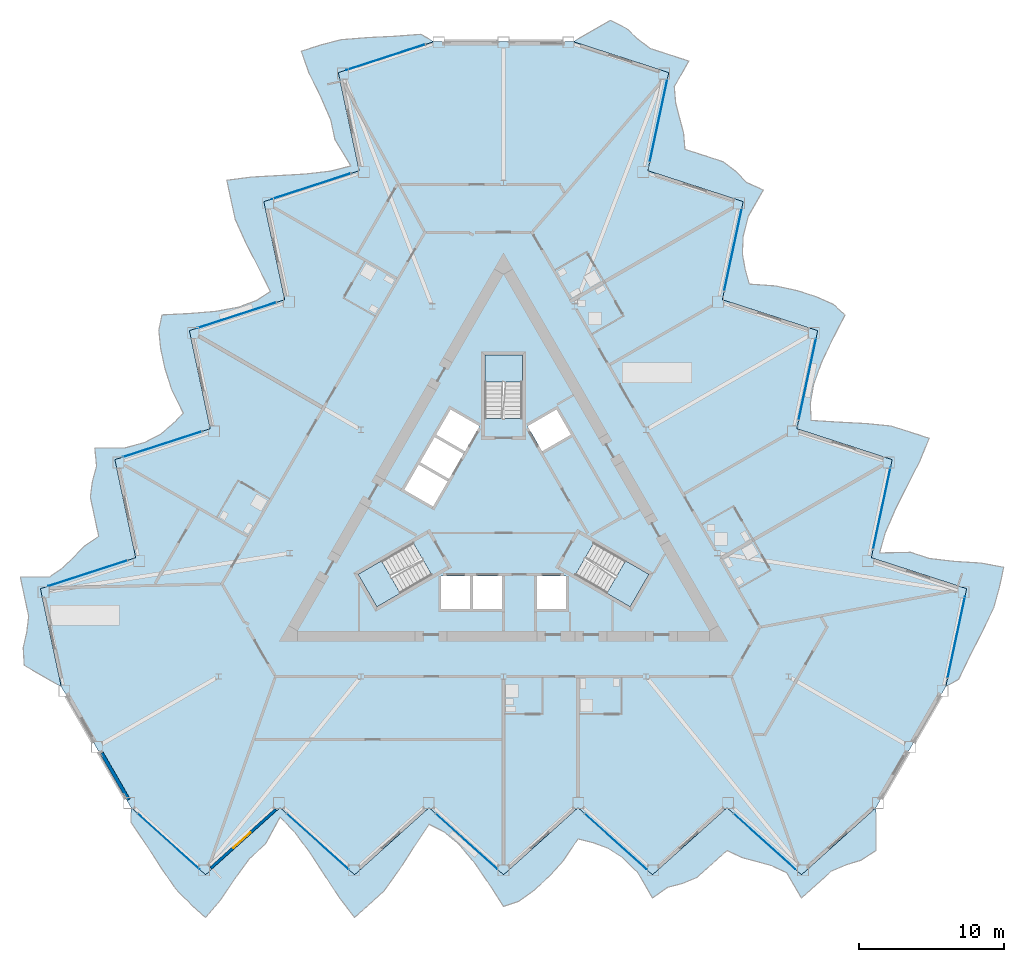
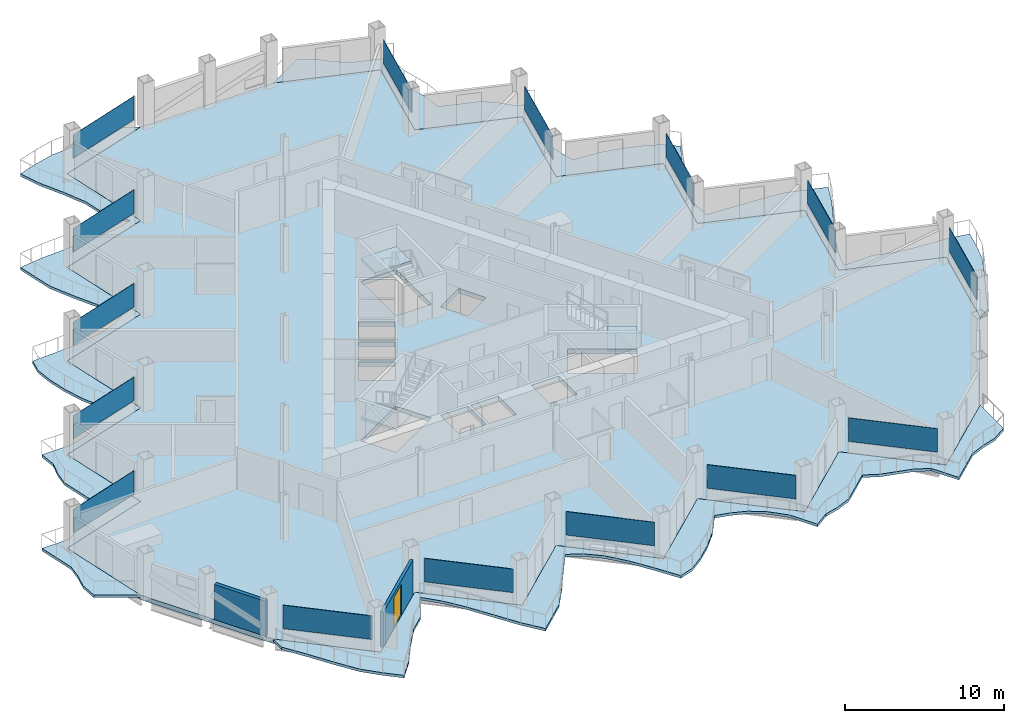
# One storey, part 9 of 22: 15 plates, 7 slabs, 2 walls, 1 door, 1 opening, 18 elements without a shape of their own.
"""IFC4 building model written with IfcOpenShell, lengths in metres."""

from ifc_helpers import new_model, si_unit, direction, frame, frame_2d, origin, origin_2d, place, context, subcontext, project, spatial, polyline, rectangle, outline, extrude, material, layer, layer_set, type_object, element, fill, aggregate, save


model = new_model("IFC4")

# Units and contexts
model_context = context("Model", 3, precision=1e-05, world=origin(), true_north=direction((0.0, 1.0)))
body_context = subcontext(model_context, "Body", "Model", "MODEL_VIEW")
ifc_project = project(units=[si_unit("LENGTHUNIT", "METRE"), si_unit("AREAUNIT", "SQUARE_METRE"), si_unit("VOLUMEUNIT", "CUBIC_METRE"), si_unit("PLANEANGLEUNIT", "RADIAN"), si_unit("MASSUNIT", "GRAM", prefix="KILO")], contexts=[model_context])

# Site, building, storey
site_placement = place(None, origin())
site = spatial("IfcSite", under=ifc_project, at=site_placement, CompositionType="ELEMENT")
building_placement = place(site_placement, origin())
building = spatial("IfcBuilding", under=site, at=building_placement, Name="Cormorant Prow Tower", CompositionType="ELEMENT")
storey_placement = place(building_placement, frame((0.0, 0.0, 194.39990234375)))
storey = spatial("IfcBuildingStorey", under=building, at=storey_placement, Name="L42", CompositionType="ELEMENT", Elevation=194.39990234375)

# Slabs
ifc_material_1 = material(Name="Concrete C40/50", Category="concrete")
ifc_layer_1 = layer(ifc_material_1, 0.199951171875)
ifc_layer_set_1 = layer_set([ifc_layer_1], Name="Concrete C40/50")
slab_type_1 = type_object("IfcSlabType", Name="Balcony slab 200", PredefinedType="FLOOR", material=ifc_layer_set_1)
slab_1_placement = place(storey_placement, frame((0.0, 0.0, -0.199951171875)))
element("IfcSlab", 1, at=slab_1_placement, inside=storey, type_object=slab_type_1, Name="Balcony slab S L42", PredefinedType="FLOOR", context=body_context, shape_type="SweptSolid", body=[
    extrude(outline(polyline([(-25.692626953125, -20.39892578125), (-25.692626953125, -21.4150390625), (-24.664794921875, -22.92431640625), (-23.63720703125, -24.52001953125), (-22.609375, -26.009033203125), (-21.581787109375, -27.05029296875), (-20.55419921875, -27.975830078125), (-19.5263671875, -26.775146484375), (-18.498779296875, -25.2314453125), (-17.470947265625, -23.849609375), (-16.443359375, -22.92431640625), (-15.41552734375, -21.0517578125), (-14.387939453125, -22.11328125), (-13.360107421875, -23.494384765625), (-12.33251953125, -25.064208984375), (-11.3046875, -26.636962890625), (-10.277099609375, -27.975830078125), (-9.249267578125, -27.05029296875), (-8.2216796875, -26.11181640625), (-7.19384765625, -24.67626953125), (-6.166259765625, -23.08935546875), (-5.138427734375, -21.541259765625), (-4.11083984375, -22.061767578125), (-3.0830078125, -22.9169921875), (-2.055419921875, -24.126708984375), (-1.027587890625, -25.609375), (0.0, -27.20458984375), (1.027587890625, -26.86865234375), (2.055419921875, -26.125), (3.0830078125, -25.19970703125), (4.11083984375, -24.0712890625), (5.138427734375, -22.548828125), (6.166259765625, -22.805419921875), (7.19384765625, -23.182373046875), (8.2216796875, -23.837646484375), (9.249267578125, -24.84912109375), (10.277099609375, -26.625732421875), (11.3046875, -25.894775390625), (12.33251953125, -25.62841796875), (13.360107421875, -25.19970703125), (14.387939453125, -24.2744140625), (15.41552734375, -23.348876953125), (16.443359375, -23.83544921875), (17.470947265625, -24.109375), (18.498779296875, -24.394775390625), (19.5263671875, -24.8759765625), (20.55419921875, -26.625732421875), (21.581787109375, -25.700439453125), (22.609375, -24.77490234375), (23.63720703125, -24.33544921875), (24.664794921875, -24.022216796875), (25.692626953125, -23.348876953125), (25.692626953125, -20.39892578125), (24.664794921875, -21.32421875), (23.63720703125, -22.249755859375), (22.609375, -23.175048828125), (21.581787109375, -24.100341796875), (20.55419921875, -25.025634765625), (19.5263671875, -24.100341796875), (18.498779296875, -23.175048828125), (17.470947265625, -22.249755859375), (16.443359375, -21.32421875), (15.41552734375, -20.39892578125), (14.387939453125, -21.32421875), (13.360107421875, -22.249755859375), (12.33251953125, -23.175048828125), (11.3046875, -24.100341796875), (10.277099609375, -25.025634765625), (9.249267578125, -24.100341796875), (8.2216796875, -23.175048828125), (7.19384765625, -22.249755859375), (6.166259765625, -21.32421875), (5.138427734375, -20.39892578125), (4.11083984375, -21.32421875), (3.0830078125, -22.249755859375), (2.055419921875, -23.175048828125), (1.027587890625, -24.100341796875), (0.0, -25.025634765625), (-1.027587890625, -24.100341796875), (-2.055419921875, -23.175048828125), (-3.0830078125, -22.249755859375), (-4.11083984375, -21.32421875), (-5.138427734375, -20.39892578125), (-6.166259765625, -21.32421875), (-7.19384765625, -22.249755859375), (-8.2216796875, -23.175048828125), (-9.249267578125, -24.100341796875), (-10.277099609375, -25.025634765625), (-11.3046875, -24.100341796875), (-12.33251953125, -23.175048828125), (-13.360107421875, -22.249755859375), (-14.387939453125, -21.32421875), (-15.41552734375, -20.39892578125), (-16.443359375, -21.32421875), (-17.470947265625, -22.249755859375), (-18.498779296875, -23.175048828125), (-19.5263671875, -24.100341796875), (-20.55419921875, -25.025634765625), (-21.581787109375, -24.100341796875), (-22.609375, -23.175048828125), (-23.63720703125, -22.249755859375), (-24.664794921875, -21.32421875), (-25.692626953125, -20.39892578125)])), origin(), (0.0, 0.0, 1.0), 0.199951171875),
])
slab_2_placement = place(storey_placement, frame((0.0, 0.0, -0.199951171875)))
element("IfcSlab", 2, at=slab_2_placement, inside=storey, type_object=slab_type_1, Name="Balcony slab ENE L42", PredefinedType="FLOOR", context=body_context, shape_type="SweptSolid", body=[
    extrude(outline(polyline([(30.51220703125, -12.051025390625), (31.392333984375, -11.54296875), (32.185546875, -9.898193359375), (33.053466796875, -8.21044921875), (33.8291015625, -6.575927734375), (34.21728515625, -5.165283203125), (34.504638671875, -3.8125), (32.951171875, -3.522705078125), (31.100341796875, -3.404541015625), (29.389892578125, -3.20556640625), (28.07470703125, -2.778076171875), (25.939208984375, -2.824462890625), (26.344482421875, -1.403564453125), (27.02685546875, 0.177001953125), (27.872314453125, 1.851806640625), (28.720703125, 3.5283203125), (29.3662109375, 5.087646484375), (28.051025390625, 5.51513671875), (26.724365234375, 5.935791015625), (24.96728515625, 6.108154296875), (23.0791015625, 6.20458984375), (21.224609375, 6.320556640625), (21.16162109375, 7.470947265625), (21.38818359375, 8.788330078125), (21.922119140625, 10.283447265625), (22.692138671875, 11.91455078125), (23.559814453125, 13.602294921875), (22.755126953125, 14.324462890625), (21.59716796875, 14.842529296875), (20.281982421875, 15.269775390625), (18.790771484375, 15.595703125), (16.958740234375, 15.724609375), (16.6669921875, 16.742919921875), (16.4794921875, 17.8212890625), (16.533203125, 19.0390625), (16.895263671875, 20.434814453125), (17.919921875, 22.213134765625), (16.773193359375, 22.737548828125), (16.028564453125, 23.494384765625), (15.1435546875, 24.170166015625), (13.828125, 24.597412109375), (12.512939453125, 25.024658203125), (12.42041015625, 26.157958984375), (12.143798828125, 27.184814453125), (11.877197265625, 28.2177734375), (11.780029296875, 29.348388671875), (12.781494140625, 31.11328125), (11.46630859375, 31.54052734375), (10.151123046875, 31.968017578125), (9.256591796875, 32.63818359375), (8.47119140625, 33.37158203125), (7.37451171875, 33.925048828125), (4.81982421875, 32.449951171875), (6.135009765625, 32.022705078125), (7.4501953125, 31.59521484375), (8.765380859375, 31.16796875), (10.08056640625, 30.740478515625), (11.395751953125, 30.313232421875), (11.1083984375, 28.96044921875), (10.82080078125, 27.60791015625), (10.533203125, 26.255126953125), (10.245849609375, 24.90234375), (9.958251953125, 23.5498046875), (11.2734375, 23.122314453125), (12.588623046875, 22.695068359375), (13.90380859375, 22.267822265625), (15.21923828125, 21.84033203125), (16.534423828125, 21.4130859375), (16.246826171875, 20.060302734375), (15.959228515625, 18.707763671875), (15.671875, 17.35498046875), (15.38427734375, 16.002197265625), (15.0966796875, 14.649658203125), (16.412109375, 14.22216796875), (17.727294921875, 13.794921875), (19.04248046875, 13.367431640625), (20.357666015625, 12.940185546875), (21.6728515625, 12.512939453125), (21.385498046875, 11.16015625), (21.097900390625, 9.807373046875), (20.810302734375, 8.454833984375), (20.522705078125, 7.10205078125), (20.2353515625, 5.74951171875), (21.550537109375, 5.322021484375), (22.86572265625, 4.894775390625), (24.180908203125, 4.46728515625), (25.49609375, 4.0400390625), (26.8115234375, 3.61279296875), (26.52392578125, 2.260009765625), (26.236328125, 0.9072265625), (25.94873046875, -0.4453125), (25.661376953125, -1.798095703125), (25.373779296875, -3.15087890625), (26.68896484375, -3.578125), (28.004150390625, -4.00537109375), (29.319580078125, -4.432861328125), (30.634765625, -4.860107421875), (31.949951171875, -5.28759765625), (31.662353515625, -6.64013671875), (31.375, -7.992919921875), (31.08740234375, -9.345703125), (30.7998046875, -10.6982421875), (30.51220703125, -12.051025390625)])), origin(), (0.0, 0.0, 1.0), 0.199951171875),
])
slab_3_placement = place(storey_placement, frame((0.0, 0.0, -0.199951171875)))
element("IfcSlab", 3, at=slab_3_placement, inside=storey, type_object=slab_type_1, Name="Balcony slab WNW L42", PredefinedType="FLOOR", context=body_context, shape_type="SweptSolid", body=[
    extrude(outline(polyline([(-4.81982421875, 32.449951171875), (-5.69970703125, 32.9580078125), (-7.5205078125, 32.822509765625), (-9.416259765625, 32.73046875), (-11.2197265625, 32.5849609375), (-12.635498046875, 32.215576171875), (-13.95068359375, 31.788330078125), (-13.4248046875, 30.2978515625), (-12.601806640625, 28.635986328125), (-11.9189453125, 27.05517578125), (-11.63134765625, 25.702392578125), (-10.523681640625, 23.876220703125), (-11.956787109375, 23.516845703125), (-13.666748046875, 23.3173828125), (-15.5400390625, 23.21240234375), (-17.416015625, 23.108642578125), (-19.089111328125, 22.887939453125), (-18.801513671875, 21.535400390625), (-18.502685546875, 20.176025390625), (-17.7734375, 18.568359375), (-16.912841796875, 16.884765625), (-16.0859375, 15.220703125), (-17.05078125, 14.591064453125), (-18.30517578125, 14.12841796875), (-19.86669921875, 13.843505859375), (-21.66455078125, 13.69482421875), (-23.559814453125, 13.602294921875), (-23.782958984375, 12.54443359375), (-23.652587890625, 11.282470703125), (-23.364990234375, 9.9296875), (-22.901611328125, 8.4755859375), (-22.09716796875, 6.824462890625), (-22.833251953125, 6.0625), (-23.673583984375, 5.361083984375), (-24.7548828125, 4.798828125), (-26.14453125, 4.414306640625), (-28.197021484375, 4.41259765625), (-28.077880859375, 3.1572265625), (-28.361083984375, 2.134033203125), (-28.503662109375, 1.029541015625), (-28.216064453125, -0.322998046875), (-27.928466796875, -1.67578125), (-28.863525390625, -2.322509765625), (-29.61474609375, -3.07568359375), (-30.3759765625, -3.822998046875), (-31.306396484375, -4.472412109375), (-33.335693359375, -4.487548828125), (-33.048095703125, -5.840087890625), (-32.760498046875, -7.19287109375), (-32.8935546875, -8.302734375), (-33.13623046875, -9.349365234375), (-33.067138671875, -10.575927734375), (-30.51220703125, -12.051025390625), (-30.7998046875, -10.6982421875), (-31.08740234375, -9.345703125), (-31.375, -7.992919921875), (-31.662353515625, -6.64013671875), (-31.949951171875, -5.28759765625), (-30.634765625, -4.860107421875), (-29.319580078125, -4.432861328125), (-28.004150390625, -4.00537109375), (-26.68896484375, -3.578125), (-25.373779296875, -3.15087890625), (-25.661376953125, -1.798095703125), (-25.94873046875, -0.4453125), (-26.236328125, 0.9072265625), (-26.52392578125, 2.260009765625), (-26.8115234375, 3.61279296875), (-25.49609375, 4.0400390625), (-24.180908203125, 4.46728515625), (-22.86572265625, 4.894775390625), (-21.550537109375, 5.322021484375), (-20.2353515625, 5.74951171875), (-20.522705078125, 7.10205078125), (-20.810302734375, 8.454833984375), (-21.097900390625, 9.807373046875), (-21.385498046875, 11.16015625), (-21.6728515625, 12.512939453125), (-20.357666015625, 12.940185546875), (-19.04248046875, 13.367431640625), (-17.727294921875, 13.794921875), (-16.412109375, 14.22216796875), (-15.0966796875, 14.649658203125), (-15.38427734375, 16.002197265625), (-15.671875, 17.35498046875), (-15.959228515625, 18.707763671875), (-16.246826171875, 20.060302734375), (-16.534423828125, 21.4130859375), (-15.21923828125, 21.84033203125), (-13.90380859375, 22.267822265625), (-12.588623046875, 22.695068359375), (-11.2734375, 23.122314453125), (-9.958251953125, 23.5498046875), (-10.245849609375, 24.90234375), (-10.533203125, 26.255126953125), (-10.82080078125, 27.60791015625), (-11.1083984375, 28.96044921875), (-11.395751953125, 30.313232421875), (-10.08056640625, 30.740478515625), (-8.765380859375, 31.16796875), (-7.4501953125, 31.59521484375), (-6.135009765625, 32.022705078125), (-4.81982421875, 32.449951171875)])), origin(), (0.0, 0.0, 1.0), 0.199951171875),
])

# Curtain wall, plate
ifc_material_2 = material(Name="Aluminium 6063-T6", Category="aluminium")
ifc_layer_2 = layer(ifc_material_2, 0.179931640625)
ifc_layer_set_2 = layer_set([ifc_layer_2], Name="Aluminium 6063-T6")
curtain_wall_type = type_object("IfcCurtainWallType", Name="Hotel unitised curtain wall 180", PredefinedType="NOTDEFINED", material=ifc_layer_set_2)
curtain_wall_1_placement = place(storey_placement, origin())
curtain_wall_1 = element("IfcCurtainWall", 4, at=curtain_wall_1_placement, inside=storey, type_object=curtain_wall_type, Name="Hotel curtain wall S00", PredefinedType="NOTDEFINED")
ifc_material_3 = material(Name="Clear glass", Category="glass")
ifc_layer_3 = layer(ifc_material_3, 0.028076171875)
ifc_layer_set_3 = layer_set([ifc_layer_3], Name="Clear glass")
plate_type = type_object("IfcPlateType", Name="Hotel glass panel 28", PredefinedType="CURTAIN_PANEL", material=ifc_layer_set_3)
plate_1_placement = place(storey_placement, frame((-23.10107421875, -22.732421875, 0.900146484375), z_axis=(0.0, 0.0, 1.0), x_axis=(0.743144831959, -0.66913059916, 0.0)))
plate_1 = element("IfcPlate", 5, at=plate_1_placement, type_object=plate_type, Name="Hotel glass panel S00", PredefinedType="CURTAIN_PANEL", context=body_context, shape_type="SweptSolid", body=[
    extrude(rectangle(XDim=5.718505859375, YDim=0.028076171875, at=origin_2d()), origin(), (0.0, 0.0, 1.0), 1.80078125),
])
aggregate(curtain_wall_1, [plate_1])

curtain_wall_2_placement = place(storey_placement, origin())
curtain_wall_2 = element("IfcCurtainWall", 6, at=curtain_wall_2_placement, inside=storey, type_object=curtain_wall_type, Name="Hotel curtain wall S02", PredefinedType="NOTDEFINED")
plate_2_placement = place(storey_placement, frame((-12.823974609375, -22.732421875, 0.900146484375), z_axis=(0.0, 0.0, 1.0), x_axis=(0.743144831959, -0.66913059916, 0.0)))
plate_2 = element("IfcPlate", 7, at=plate_2_placement, type_object=plate_type, Name="Hotel glass panel S02", PredefinedType="CURTAIN_PANEL", context=body_context, shape_type="SweptSolid", body=[
    extrude(rectangle(XDim=5.718505859375, YDim=0.028076171875, at=origin_2d()), origin(), (0.0, 0.0, 1.0), 1.80078125),
])
aggregate(curtain_wall_2, [plate_2])

curtain_wall_3_placement = place(storey_placement, origin())
curtain_wall_3 = element("IfcCurtainWall", 8, at=curtain_wall_3_placement, inside=storey, type_object=curtain_wall_type, Name="Hotel curtain wall S04", PredefinedType="NOTDEFINED")
plate_3_placement = place(storey_placement, frame((-2.546875, -22.732421875, 0.900146484375), z_axis=(0.0, 0.0, 1.0), x_axis=(0.743144831959, -0.66913059916, 0.0)))
plate_3 = element("IfcPlate", 9, at=plate_3_placement, type_object=plate_type, Name="Hotel glass panel S04", PredefinedType="CURTAIN_PANEL", context=body_context, shape_type="SweptSolid", body=[
    extrude(rectangle(XDim=5.718505859375, YDim=0.028076171875, at=origin_2d()), origin(), (0.0, 0.0, 1.0), 1.80078125),
])
aggregate(curtain_wall_3, [plate_3])

curtain_wall_4_placement = place(storey_placement, origin())
curtain_wall_4 = element("IfcCurtainWall", 10, at=curtain_wall_4_placement, inside=storey, type_object=curtain_wall_type, Name="Hotel curtain wall S06", PredefinedType="NOTDEFINED")
plate_4_placement = place(storey_placement, frame((7.72998046875, -22.732421875, 0.900146484375), z_axis=(0.0, 0.0, 1.0), x_axis=(0.743144831959, -0.66913059916, 0.0)))
plate_4 = element("IfcPlate", 11, at=plate_4_placement, type_object=plate_type, Name="Hotel glass panel S06", PredefinedType="CURTAIN_PANEL", context=body_context, shape_type="SweptSolid", body=[
    extrude(rectangle(XDim=5.718505859375, YDim=0.028076171875, at=origin_2d()), origin(), (0.0, 0.0, 1.0), 1.80078125),
])
aggregate(curtain_wall_4, [plate_4])

curtain_wall_5_placement = place(storey_placement, origin())
curtain_wall_5 = element("IfcCurtainWall", 12, at=curtain_wall_5_placement, inside=storey, type_object=curtain_wall_type, Name="Hotel curtain wall S08", PredefinedType="NOTDEFINED")
plate_5_placement = place(storey_placement, frame((18.007080078125, -22.732421875, 0.900146484375), z_axis=(0.0, 0.0, 1.0), x_axis=(0.743144831959, -0.66913059916, 0.0)))
plate_5 = element("IfcPlate", 13, at=plate_5_placement, type_object=plate_type, Name="Hotel glass panel S08", PredefinedType="CURTAIN_PANEL", context=body_context, shape_type="SweptSolid", body=[
    extrude(rectangle(XDim=5.718505859375, YDim=0.028076171875, at=origin_2d()), origin(), (0.0, 0.0, 1.0), 1.80078125),
])
aggregate(curtain_wall_5, [plate_5])

curtain_wall_6_placement = place(storey_placement, origin())
curtain_wall_6 = element("IfcCurtainWall", 14, at=curtain_wall_6_placement, inside=storey, type_object=curtain_wall_type, Name="Hotel curtain wall ENE00", PredefinedType="NOTDEFINED")
plate_6_placement = place(storey_placement, frame((31.2373046875, -8.639892578125, 0.900146484375), z_axis=(0.0, 0.0, 1.0), x_axis=(0.207911659303, 0.978147607432, 0.0)))
plate_6 = element("IfcPlate", 15, at=plate_6_placement, type_object=plate_type, Name="Hotel glass panel ENE00", PredefinedType="CURTAIN_PANEL", context=body_context, shape_type="SweptSolid", body=[
    extrude(rectangle(XDim=5.718505859375, YDim=0.028076171875, at=origin_2d()), origin(), (0.0, 0.0, 1.0), 1.80078125),
])
aggregate(curtain_wall_6, [plate_6])

curtain_wall_7_placement = place(storey_placement, origin())
curtain_wall_7 = element("IfcCurtainWall", 16, at=curtain_wall_7_placement, inside=storey, type_object=curtain_wall_type, Name="Hotel curtain wall ENE02", PredefinedType="NOTDEFINED")
plate_7_placement = place(storey_placement, frame((26.098876953125, 0.26025390625, 0.900146484375), z_axis=(0.0, 0.0, 1.0), x_axis=(0.207911659303, 0.978147607432, 0.0)))
plate_7 = element("IfcPlate", 17, at=plate_7_placement, type_object=plate_type, Name="Hotel glass panel ENE02", PredefinedType="CURTAIN_PANEL", context=body_context, shape_type="SweptSolid", body=[
    extrude(rectangle(XDim=5.718505859375, YDim=0.028076171875, at=origin_2d()), origin(), (0.0, 0.0, 1.0), 1.80078125),
])
aggregate(curtain_wall_7, [plate_7])

curtain_wall_8_placement = place(storey_placement, origin())
curtain_wall_8 = element("IfcCurtainWall", 18, at=curtain_wall_8_placement, inside=storey, type_object=curtain_wall_type, Name="Hotel curtain wall ENE04", PredefinedType="NOTDEFINED")
plate_8_placement = place(storey_placement, frame((20.96044921875, 9.160400390625, 0.900146484375), z_axis=(0.0, 0.0, 1.0), x_axis=(0.207911629905, 0.978147613681, 0.0)))
plate_8 = element("IfcPlate", 19, at=plate_8_placement, type_object=plate_type, Name="Hotel glass panel ENE04", PredefinedType="CURTAIN_PANEL", context=body_context, shape_type="SweptSolid", body=[
    extrude(rectangle(XDim=5.718505859375, YDim=0.028076171875, at=origin_2d()), origin(), (0.0, 0.0, 1.0), 1.80078125),
])
aggregate(curtain_wall_8, [plate_8])

curtain_wall_9_placement = place(storey_placement, origin())
curtain_wall_9 = element("IfcCurtainWall", 20, at=curtain_wall_9_placement, inside=storey, type_object=curtain_wall_type, Name="Hotel curtain wall ENE06", PredefinedType="NOTDEFINED")
plate_9_placement = place(storey_placement, frame((15.82177734375, 18.060546875, 0.900146484375), z_axis=(0.0, 0.0, 1.0), x_axis=(0.207911659303, 0.978147607432, 0.0)))
plate_9 = element("IfcPlate", 21, at=plate_9_placement, type_object=plate_type, Name="Hotel glass panel ENE06", PredefinedType="CURTAIN_PANEL", context=body_context, shape_type="SweptSolid", body=[
    extrude(rectangle(XDim=5.718505859375, YDim=0.028076171875, at=origin_2d()), origin(), (0.0, 0.0, 1.0), 1.80078125),
])
aggregate(curtain_wall_9, [plate_9])

curtain_wall_10_placement = place(storey_placement, origin())
curtain_wall_10 = element("IfcCurtainWall", 22, at=curtain_wall_10_placement, inside=storey, type_object=curtain_wall_type, Name="Hotel curtain wall ENE08", PredefinedType="NOTDEFINED")
plate_10_placement = place(storey_placement, frame((10.683349609375, 26.9609375, 0.900146484375), z_axis=(0.0, 0.0, 1.0), x_axis=(0.207911659303, 0.978147607432, 0.0)))
plate_10 = element("IfcPlate", 23, at=plate_10_placement, type_object=plate_type, Name="Hotel glass panel ENE08", PredefinedType="CURTAIN_PANEL", context=body_context, shape_type="SweptSolid", body=[
    extrude(rectangle(XDim=5.718505859375, YDim=0.028076171875, at=origin_2d()), origin(), (0.0, 0.0, 1.0), 1.80078125),
])
aggregate(curtain_wall_10, [plate_10])

curtain_wall_11_placement = place(storey_placement, origin())
curtain_wall_11 = element("IfcCurtainWall", 24, at=curtain_wall_11_placement, inside=storey, type_object=curtain_wall_type, Name="Hotel curtain wall WNW00", PredefinedType="NOTDEFINED")
plate_11_placement = place(storey_placement, frame((-8.13623046875, 31.372314453125, 0.900146484375), z_axis=(0.0, 0.0, 1.0), x_axis=(-0.95105653377, -0.309016940594, 0.0)))
plate_11 = element("IfcPlate", 25, at=plate_11_placement, type_object=plate_type, Name="Hotel glass panel WNW00", PredefinedType="CURTAIN_PANEL", context=body_context, shape_type="SweptSolid", body=[
    extrude(rectangle(XDim=5.718505859375, YDim=0.028076171875, at=origin_2d()), origin(), (0.0, 0.0, 1.0), 1.80078125),
])
aggregate(curtain_wall_11, [plate_11])

curtain_wall_12_placement = place(storey_placement, origin())
curtain_wall_12 = element("IfcCurtainWall", 26, at=curtain_wall_12_placement, inside=storey, type_object=curtain_wall_type, Name="Hotel curtain wall WNW02", PredefinedType="NOTDEFINED")
plate_12_placement = place(storey_placement, frame((-13.27490234375, 22.47216796875, 0.900146484375), z_axis=(0.0, 0.0, 1.0), x_axis=(-0.951056477458, -0.309017113905, 0.0)))
plate_12 = element("IfcPlate", 27, at=plate_12_placement, type_object=plate_type, Name="Hotel glass panel WNW02", PredefinedType="CURTAIN_PANEL", context=body_context, shape_type="SweptSolid", body=[
    extrude(rectangle(XDim=5.718505859375, YDim=0.028076171875, at=origin_2d()), origin(), (0.0, 0.0, 1.0), 1.80078125),
])
aggregate(curtain_wall_12, [plate_12])

curtain_wall_13_placement = place(storey_placement, origin())
curtain_wall_13 = element("IfcCurtainWall", 28, at=curtain_wall_13_placement, inside=storey, type_object=curtain_wall_type, Name="Hotel curtain wall WNW04", PredefinedType="NOTDEFINED")
plate_13_placement = place(storey_placement, frame((-18.413330078125, 13.572021484375, 0.900146484375), z_axis=(0.0, 0.0, 1.0), x_axis=(-0.951056519963, -0.309016983088, 0.0)))
plate_13 = element("IfcPlate", 29, at=plate_13_placement, type_object=plate_type, Name="Hotel glass panel WNW04", PredefinedType="CURTAIN_PANEL", context=body_context, shape_type="SweptSolid", body=[
    extrude(rectangle(XDim=5.718505859375, YDim=0.028076171875, at=origin_2d()), origin(), (0.0, 0.0, 1.0), 1.80078125),
])
aggregate(curtain_wall_13, [plate_13])

curtain_wall_14_placement = place(storey_placement, origin())
curtain_wall_14 = element("IfcCurtainWall", 30, at=curtain_wall_14_placement, inside=storey, type_object=curtain_wall_type, Name="Hotel curtain wall WNW06", PredefinedType="NOTDEFINED")
plate_14_placement = place(storey_placement, frame((-23.552001953125, 4.671875, 0.900146484375), z_axis=(0.0, 0.0, 1.0), x_axis=(-0.951056519963, -0.309016983088, 0.0)))
plate_14 = element("IfcPlate", 31, at=plate_14_placement, type_object=plate_type, Name="Hotel glass panel WNW06", PredefinedType="CURTAIN_PANEL", context=body_context, shape_type="SweptSolid", body=[
    extrude(rectangle(XDim=5.718505859375, YDim=0.028076171875, at=origin_2d()), origin(), (0.0, 0.0, 1.0), 1.80078125),
])
aggregate(curtain_wall_14, [plate_14])

curtain_wall_15_placement = place(storey_placement, origin())
curtain_wall_15 = element("IfcCurtainWall", 32, at=curtain_wall_15_placement, inside=storey, type_object=curtain_wall_type, Name="Hotel curtain wall WNW08", PredefinedType="NOTDEFINED")
plate_15_placement = place(storey_placement, frame((-28.6904296875, -4.228515625, 0.900146484375), z_axis=(0.0, 0.0, 1.0), x_axis=(-0.951056477458, -0.309017113905, 0.0)))
plate_15 = element("IfcPlate", 33, at=plate_15_placement, type_object=plate_type, Name="Hotel glass panel WNW08", PredefinedType="CURTAIN_PANEL", context=body_context, shape_type="SweptSolid", body=[
    extrude(rectangle(XDim=5.718505859375, YDim=0.028076171875, at=origin_2d()), origin(), (0.0, 0.0, 1.0), 1.80078125),
])
aggregate(curtain_wall_15, [plate_15])

# Slab
ifc_material_4 = material(Name="Concrete C40/50", Category="concrete")
ifc_layer_4 = layer(ifc_material_4, 0.35009765625)
ifc_layer_set_4 = layer_set([ifc_layer_4], Name="Concrete C40/50")
slab_type_2 = type_object("IfcSlabType", Name="Post-tensioned flat slab 350", PredefinedType="FLOOR", material=ifc_layer_set_4)
slab_4_placement = place(storey_placement, frame((0.0, 0.0, -0.349853515625)))
element("IfcSlab", 34, at=slab_4_placement, inside=storey, type_object=slab_type_2, Name="Floor slab L42", PredefinedType="FLOOR", context=body_context, shape_type="SweptSolid", body=[
    extrude(outline(polyline([(-9.958251953125, 23.5498046875), (-16.534423828125, 21.4130859375), (-15.0966796875, 14.649658203125), (-21.6728515625, 12.512939453125), (-20.2353515625, 5.74951171875), (-26.8115234375, 3.61279296875), (-25.373779296875, -3.15087890625), (-31.949951171875, -5.28759765625), (-30.51220703125, -12.051025390625), (-28.1025390625, -16.224853515625), (-25.692626953125, -20.39892578125), (-20.55419921875, -25.025634765625), (-15.41552734375, -20.39892578125), (-10.277099609375, -25.025634765625), (-5.138427734375, -20.39892578125), (0.0, -25.025634765625), (5.138427734375, -20.39892578125), (10.277099609375, -25.025634765625), (15.41552734375, -20.39892578125), (20.55419921875, -25.025634765625), (25.692626953125, -20.39892578125), (28.1025390625, -16.224853515625), (30.51220703125, -12.051025390625), (31.949951171875, -5.28759765625), (25.373779296875, -3.15087890625), (26.8115234375, 3.61279296875), (20.2353515625, 5.74951171875), (21.6728515625, 12.512939453125), (15.0966796875, 14.649658203125), (16.534423828125, 21.4130859375), (9.958251953125, 23.5498046875), (11.395751953125, 30.313232421875), (4.81982421875, 32.449951171875), (0.0, 32.449951171875), (-4.81982421875, 32.449951171875), (-11.395751953125, 30.313232421875), (-9.958251953125, 23.5498046875)]), holes=[polyline([(-4.300048828125, -4.39990234375), (-2.300048828125, -4.39990234375), (-2.300048828125, -6.699951171875), (-4.300048828125, -6.699951171875), (-4.300048828125, -4.39990234375)]), polyline([(-0.10009765625, -4.39990234375), (-0.10009765625, -6.699951171875), (-2.10009765625, -6.699951171875), (-2.10009765625, -4.39990234375), (-0.10009765625, -4.39990234375)]), polyline([(4.300048828125, -6.699951171875), (2.300048828125, -6.699951171875), (2.300048828125, -4.39990234375), (4.300048828125, -4.39990234375), (4.300048828125, -6.699951171875)]), polyline([(4.65234375, 5.341796875), (2.660400390625, 4.19189453125), (1.660400390625, 5.923828125), (3.65234375, 7.073974609375), (4.65234375, 5.341796875)]), polyline([(-1.660400390625, 5.923828125), (-2.660400390625, 4.19189453125), (-4.65234375, 5.341796875), (-3.65234375, 7.073974609375), (-1.660400390625, 5.923828125)]), polyline([(-3.760498046875, 2.28662109375), (-5.75244140625, 3.4365234375), (-4.75244140625, 5.168701171875), (-2.760498046875, 4.018798828125), (-3.760498046875, 2.28662109375)]), polyline([(-6.852294921875, 1.53125), (-5.852294921875, 3.263427734375), (-3.860595703125, 2.11328125), (-4.860595703125, 0.38134765625), (-6.852294921875, 1.53125)]), polyline([(-4.947509765625, -4.3505859375), (-8.738037109375, -6.5390625), (-10.031982421875, -4.2978515625), (-6.241455078125, -2.109375), (-4.947509765625, -4.3505859375)]), polyline([(10.031982421875, -4.2978515625), (8.738037109375, -6.5390625), (4.947509765625, -4.3505859375), (6.241455078125, -2.109375), (10.031982421875, -4.2978515625)]), polyline([(1.2939453125, 10.8369140625), (1.2939453125, 6.459716796875), (-1.2939453125, 6.459716796875), (-1.2939453125, 10.8369140625), (1.2939453125, 10.8369140625)])]), origin(), (0.0, 0.0, 1.0), 0.349853515625),
])

# Stair, slab
ifc_material_5 = material(Name="Exit stair 20 risers")
stair_type = type_object("IfcStairType", Name="Exit stair 20 risers", PredefinedType="HALF_TURN_STAIR", material=ifc_material_5)
stair_1_placement = place(storey_placement, origin())
stair_1 = element("IfcStair", 35, at=stair_1_placement, inside=storey, type_object=stair_type, Name="L42 Exit stair ST1", PredefinedType="HALF_TURN_STAIR")
ifc_material_6 = material(Name="Concrete 5000 psi", Category="concrete")
ifc_layer_5 = layer(ifc_material_6, 0.199951171875)
ifc_layer_set_5 = layer_set([ifc_layer_5], Name="Concrete 5000 psi")
slab_type_3 = type_object("IfcSlabType", Name="Stair landing 200", PredefinedType="LANDING", material=ifc_layer_set_5)
slab_5_placement = place(storey_placement, frame((0.0, 0.0, 1.60009765625)))
slab_5 = element("IfcSlab", 36, at=slab_5_placement, type_object=slab_type_3, Name="ST1 landing 1", PredefinedType="LANDING", context=body_context, shape_type="SweptSolid", body=[
    extrude(outline(polyline([(-8.416748046875, -3.365234375), (-10.031982421875, -4.2978515625), (-8.738037109375, -6.5390625), (-7.122802734375, -5.6064453125), (-8.416748046875, -3.365234375)])), origin(), (0.0, 0.0, 1.0), 0.199951171875),
])
aggregate(stair_1, [slab_5])

stair_2_placement = place(storey_placement, origin())
stair_2 = element("IfcStair", 37, at=stair_2_placement, inside=storey, type_object=stair_type, Name="L42 Exit stair ST2", PredefinedType="HALF_TURN_STAIR")
slab_6_placement = place(storey_placement, frame((0.0, 0.0, 1.60009765625)))
slab_6 = element("IfcSlab", 38, at=slab_6_placement, type_object=slab_type_3, Name="ST2 landing 1", PredefinedType="LANDING", context=body_context, shape_type="SweptSolid", body=[
    extrude(outline(polyline([(7.122802734375, -5.6064453125), (8.738037109375, -6.5390625), (10.031982421875, -4.2978515625), (8.416748046875, -3.365234375), (7.122802734375, -5.6064453125)])), origin(), (0.0, 0.0, 1.0), 0.199951171875),
])
aggregate(stair_2, [slab_6])

stair_3_placement = place(storey_placement, origin())
stair_3 = element("IfcStair", 39, at=stair_3_placement, inside=storey, type_object=stair_type, Name="L42 Exit stair ST3", PredefinedType="HALF_TURN_STAIR")
slab_7_placement = place(storey_placement, frame((0.0, 0.0, 1.60009765625)))
slab_7 = element("IfcSlab", 40, at=slab_7_placement, type_object=slab_type_3, Name="ST3 landing 1", PredefinedType="LANDING", context=body_context, shape_type="SweptSolid", body=[
    extrude(outline(polyline([(1.2939453125, 8.971923828125), (1.2939453125, 10.8369140625), (-1.2939453125, 10.8369140625), (-1.2939453125, 8.971923828125), (1.2939453125, 8.971923828125)])), origin(), (0.0, 0.0, 1.0), 0.199951171875),
])
aggregate(stair_3, [slab_7])

# Wall
ifc_material_7 = material(Name="Terracotta", Category="masonry")
ifc_layer_6 = layer(ifc_material_7, 0.25)
ifc_layer_set_6 = layer_set([ifc_layer_6], Name="Terracotta")
wall_type_1 = type_object("IfcWallType", Name="Terracotta bay wall 250", PredefinedType="SOLIDWALL", material=ifc_layer_set_6)
wall_1_placement = place(storey_placement, frame((-27.727294921875, -16.624755859375, 0.0), z_axis=(0.0, 0.0, 1.0), x_axis=(0.499995303914, -0.866028115054, 0.0)))
element("IfcWall", 41, at=wall_1_placement, inside=storey, type_object=wall_type_1, Name="Terracotta bay wall WSW01", PredefinedType="SOLIDWALL", context=body_context, shape_type="SweptSolid", body=[
    extrude(rectangle(XDim=3.7177734375, YDim=0.25, at=frame_2d((1.85888671875, 0.0))), origin(), (0.0, 0.0, 1.0), 2.700927734375),
])

# Wall, opening, door
ifc_material_8 = material(Name="Terracotta", Category="masonry")
ifc_layer_7 = layer(ifc_material_8, 0.199951171875)
ifc_layer_set_7 = layer_set([ifc_layer_7], Name="Terracotta")
wall_type_2 = type_object("IfcWallType", Name="Terracotta jamb wall 200", PredefinedType="SOLIDWALL", material=ifc_layer_set_7)
wall_2_placement = place(storey_placement, frame((-20.198974609375, -24.5712890625, 0.0), z_axis=(0.0, 0.0, 1.0), x_axis=(0.743151394339, 0.669123310827, 0.0)))
wall_2 = element("IfcWall", 42, at=wall_2_placement, inside=storey, type_object=wall_type_2, Name="Terracotta jamb wall S01", PredefinedType="SOLIDWALL", context=body_context, shape_type="SweptSolid", body=[
    extrude(rectangle(XDim=6.03857421875, YDim=0.199951171875, at=frame_2d((3.019287109375, 0.0))), origin(), (0.0, 0.0, 1.0), 2.700927734375),
])
opening_placement = place(wall_2_placement, frame((2.08935546875, 0.0, 0.0)))
opening = element("IfcOpeningElement", 43, at=opening_placement, cuts=wall_2, Name="Opening ED42.01", PredefinedType="OPENING", context=body_context, shape_type="SweptSolid", body=[
    extrude(rectangle(XDim=1.60009765625, YDim=2.39990234375, at=frame_2d((0.800048828125, 1.199951171875))), frame((0.0, 0.10986328125, 0.0), z_axis=(0.0, -1.0, 0.0), x_axis=(1.0, 0.0, 0.0)), (0.0, 0.0, 1.0), 0.219970703125),
])
ifc_material_9 = material(Name="Aluminium 6063-T6", Category="aluminium")
door_type = type_object("IfcDoorType", Name="Balcony door 1600x2400", OperationType="DOUBLE_DOOR_SINGLE_SWING", PredefinedType="DOOR", material=ifc_material_9)
door_placement = place(opening_placement, origin())
door = element("IfcDoor", 44, at=door_placement, inside=storey, type_object=door_type, Name="Balcony door S01 ED42.01", OperationType="DOUBLE_DOOR_SINGLE_SWING", OverallHeight=2.39990234375, OverallWidth=1.60009765625, PredefinedType="DOOR", context=body_context, shape_type="SweptSolid", body=[
    extrude(rectangle(XDim=1.60009765625, YDim=2.39990234375, at=frame_2d((0.800048828125, 1.199951171875))), frame((0.0, 0.02490234375, 0.0), z_axis=(0.0, -1.0, 0.0), x_axis=(1.0, 0.0, 0.0)), (0.0, 0.0, 1.0), 0.050048828125),
])
fill(opening, door)

save(model, "model.ifc")
